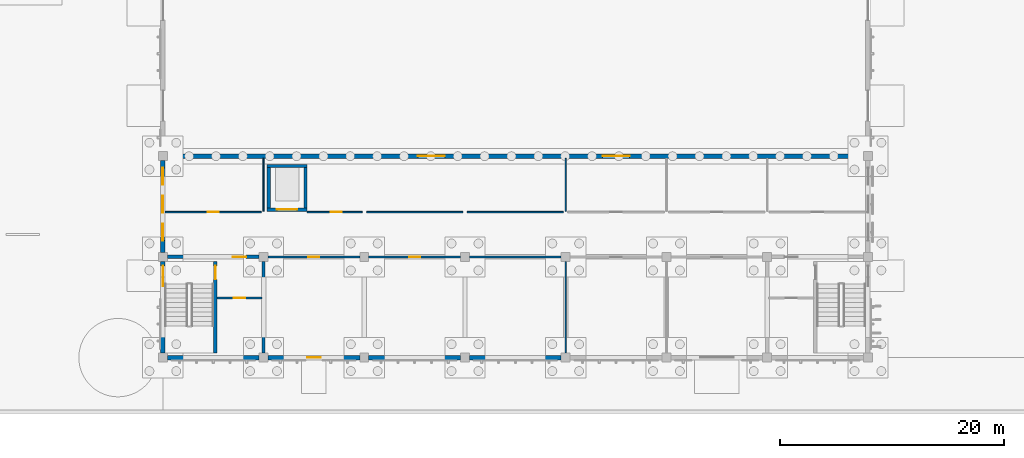
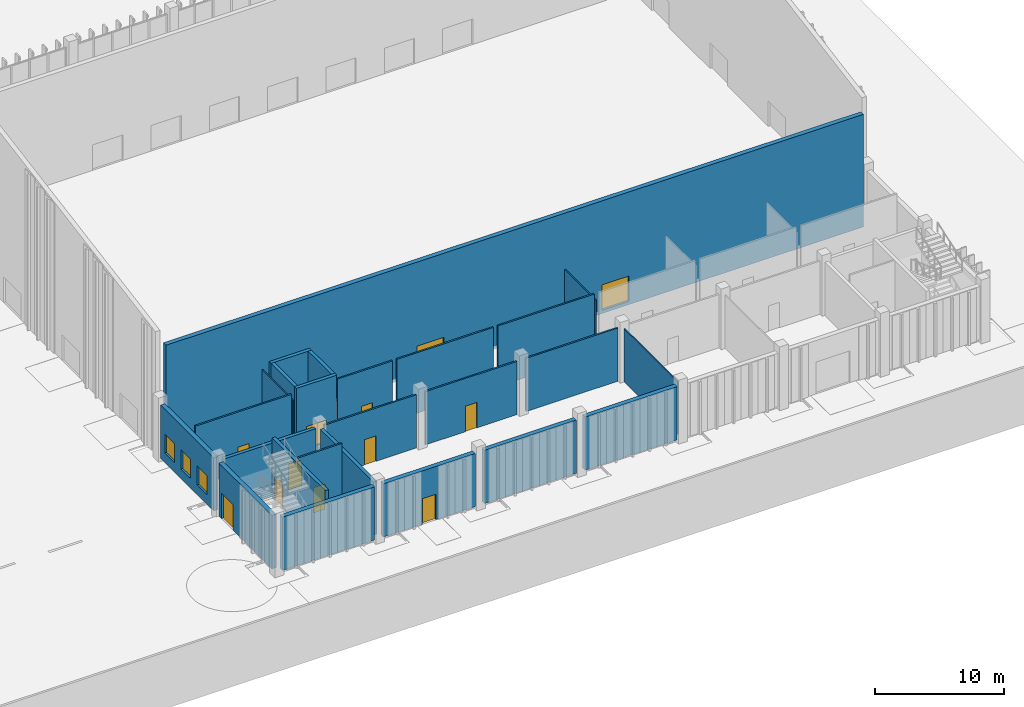
# One storey, part 98 of 198: 25 walls, 12 doors, 3 windows, 15 openings.
"""IFC4 building model written with IfcOpenShell, lengths in metres."""

from ifc_helpers import new_model, si_unit, direction, frame, frame_2d, origin, place, context, subcontext, project, spatial, rectangle, extrude, material, layer, layer_set, type_object, element, fill, save


model = new_model("IFC4")

# Units and contexts
model_context = context("Model", 3, precision=1e-05, world=origin(), true_north=direction((0.0, 1.0)))
body_context = subcontext(model_context, "Body", "Model", "MODEL_VIEW")
ifc_project = project(units=[si_unit("LENGTHUNIT", "METRE"), si_unit("AREAUNIT", "SQUARE_METRE"), si_unit("VOLUMEUNIT", "CUBIC_METRE"), si_unit("PLANEANGLEUNIT", "RADIAN"), si_unit("MASSUNIT", "GRAM", prefix="KILO")], contexts=[model_context])

# Site, building, storey
site_placement = place(None, origin())
site = spatial("IfcSite", under=ifc_project, at=site_placement, CompositionType="ELEMENT")
building_placement = place(site_placement, origin())
building = spatial("IfcBuilding", under=site, at=building_placement, Name="Opaline Strait Convention Centre", CompositionType="ELEMENT")
storey_placement = place(building_placement, origin())
storey = spatial("IfcBuildingStorey", under=building, at=storey_placement, Name="L00", CompositionType="ELEMENT", Elevation=0.0)

# Wall, opening, door
ifc_material_1 = material(Name="Concrete C40", Category="concrete")
ifc_layer_1 = layer(ifc_material_1, 0.300048828125)
ifc_layer_set_1 = layer_set([ifc_layer_1], Name="Concrete C40")
wall_type_1 = type_object("IfcWallType", Name="Core enclosure wall 300 C40", PredefinedType="STANDARD", material=ifc_layer_set_1)
wall_1_placement = place(storey_placement, frame((292.699951171875, 9.39990234375, 0.0), z_axis=(0.0, 0.0, 1.0), x_axis=(0.0, 1.0, 0.0)))
wall_1 = element("IfcWall", 1, at=wall_1_placement, inside=storey, type_object=wall_type_1, Name="Stair enclosure wall L00 SW", PredefinedType="STANDARD", context=body_context, shape_type="SweptSolid", body=[
    extrude(rectangle(XDim=8.2001953125, YDim=0.300048828125, at=frame_2d((4.10009765625, 0.0))), origin(), (0.0, 0.0, 1.0), 5.719970703125),
])
opening_1_placement = place(wall_1_placement, frame((6.60009765625, 0.0, 0.0)))
opening_1 = element("IfcOpeningElement", 2, at=opening_1_placement, cuts=wall_1, Name="Opening B0-015", PredefinedType="OPENING", context=body_context, shape_type="SweptSolid", body=[
    extrude(rectangle(XDim=1.199951171875, YDim=2.39990234375, at=frame_2d((0.60009765625, 1.199951171875))), frame((0.0, 0.159912109375, 0.0), z_axis=(0.0, -1.0, 0.0), x_axis=(1.0, 0.0, 0.0)), (0.0, 0.0, 1.0), 0.320068359375),
])
ifc_material_2 = material(Name="Steel Q235B", Category="steel")
door_type_1 = type_object("IfcDoorType", Name="Single fire door FD60 1200 x 2400", OperationType="SINGLE_SWING_LEFT", PredefinedType="DOOR", material=ifc_material_2)
door_1_placement = place(opening_1_placement, frame((1.199951171875, 0.0, 0.0), z_axis=(0.0, 0.0, 1.0), x_axis=(-1.0, 0.0, 0.0)))
door_1 = element("IfcDoor", 3, at=door_1_placement, inside=storey, type_object=door_type_1, Name="Stair door L00 SW", ObjectType="BD5", OperationType="SINGLE_SWING_RIGHT", OverallHeight=2.39990234375, OverallWidth=1.199951171875, PredefinedType="DOOR", context=body_context, shape_type="SweptSolid", body=[
    extrude(rectangle(XDim=1.199951171875, YDim=2.39990234375, at=frame_2d((0.60009765625, 1.199951171875))), frame((0.0, 0.02490234375, 0.0), z_axis=(0.0, -1.0, 0.0), x_axis=(1.0, 0.0, 0.0)), (0.0, 0.0, 1.0), 0.050048828125),
])
fill(opening_1, door_1)

# Wall
wall_2_placement = place(storey_placement, frame((297.0, 9.39990234375, 0.0), z_axis=(0.0, 0.0, 1.0), x_axis=(0.0, 1.0, 0.0)))
element("IfcWall", 4, at=wall_2_placement, inside=storey, type_object=wall_type_1, Name="Core wall L00 SW", PredefinedType="STANDARD", context=body_context, shape_type="SweptSolid", body=[
    extrude(rectangle(XDim=8.2001953125, YDim=0.300048828125, at=frame_2d((4.10009765625, 0.0))), origin(), (0.0, 0.0, 1.0), 5.02001953125),
])

# Wall, opening, door
wall_3_placement = place(storey_placement, frame((288.39990234375, 18.0, 0.0), z_axis=(0.0, 0.0, 1.0), x_axis=(1.0, 0.0, 0.0)))
wall_3 = element("IfcWall", 5, at=wall_3_placement, inside=storey, type_object=wall_type_1, Name="Core north wall L00 SW", PredefinedType="STANDARD", context=body_context, shape_type="SweptSolid", body=[
    extrude(rectangle(XDim=8.2001953125, YDim=0.300048828125, at=frame_2d((4.10009765625, 0.0))), origin(), (0.0, 0.0, 1.0), 5.02001953125),
])
opening_2_placement = place(wall_3_placement, frame((5.85009765625, 0.0, 0.0)))
opening_2 = element("IfcOpeningElement", 6, at=opening_2_placement, cuts=wall_3, Name="Opening B0-016", PredefinedType="OPENING", context=body_context, shape_type="SweptSolid", body=[
    extrude(rectangle(XDim=1.199951171875, YDim=2.39990234375, at=frame_2d((0.60009765625, 1.199951171875))), frame((0.0, 0.159912109375, 0.0), z_axis=(0.0, -1.0, 0.0), x_axis=(1.0, 0.0, 0.0)), (0.0, 0.0, 1.0), 0.320068359375),
])
door_2_placement = place(opening_2_placement, origin())
door_2 = element("IfcDoor", 7, at=door_2_placement, inside=storey, type_object=door_type_1, Name="Stair lobby door L00 SW", ObjectType="BD5", OperationType="SINGLE_SWING_LEFT", OverallHeight=2.39990234375, OverallWidth=1.199951171875, PredefinedType="DOOR", context=body_context, shape_type="SweptSolid", body=[
    extrude(rectangle(XDim=1.199951171875, YDim=2.39990234375, at=frame_2d((0.60009765625, 1.199951171875))), frame((0.0, 0.02490234375, 0.0), z_axis=(0.0, -1.0, 0.0), x_axis=(1.0, 0.0, 0.0)), (0.0, 0.0, 1.0), 0.050048828125),
])
fill(opening_2, door_2)

ifc_material_3 = material(Name="Gypsum board and steel stud partition", Category="steel")
ifc_layer_2 = layer(ifc_material_3, 0.14990234375)
ifc_layer_set_2 = layer_set([ifc_layer_2], Name="Gypsum board and steel stud partition")
wall_type_2 = type_object("IfcWallType", Name="Corridor partition 150 EI 60", PredefinedType="PARTITIONING", material=ifc_layer_set_2)
wall_4_placement = place(storey_placement, frame((292.85009765625, 14.324951171875, 0.0), z_axis=(0.0, 0.0, 1.0), x_axis=(1.0, 0.0, 0.0)))
wall_4 = element("IfcWall", 8, at=wall_4_placement, inside=storey, type_object=wall_type_2, Name="Lobby partition L00 SW", PredefinedType="PARTITIONING", context=body_context, shape_type="SweptSolid", body=[
    extrude(rectangle(XDim=4.0, YDim=0.14990234375, at=frame_2d((2.0, 0.0))), origin(), (0.0, 0.0, 1.0), 5.719970703125),
])
opening_3_placement = place(wall_4_placement, frame((1.5, 0.0, 0.0)))
opening_3 = element("IfcOpeningElement", 9, at=opening_3_placement, cuts=wall_4, Name="Opening B0-017", PredefinedType="OPENING", context=body_context, shape_type="SweptSolid", body=[
    extrude(rectangle(XDim=1.0, YDim=2.39990234375, at=frame_2d((0.5, 1.199951171875))), frame((0.0, 0.0849609375, 0.0), z_axis=(0.0, -1.0, 0.0), x_axis=(1.0, 0.0, 0.0)), (0.0, 0.0, 1.0), 0.169921875),
])
ifc_material_4 = material(Name="Solid timber door leaf", Category="wood")
door_type_2 = type_object("IfcDoorType", Name="Single room door 1000 x 2400", OperationType="SINGLE_SWING_LEFT", PredefinedType="DOOR", material=ifc_material_4)
door_3_placement = place(opening_3_placement, origin())
door_3 = element("IfcDoor", 10, at=door_3_placement, inside=storey, type_object=door_type_2, Name="Staff WC door L00", ObjectType="BD3", OperationType="SINGLE_SWING_RIGHT", OverallHeight=2.39990234375, OverallWidth=1.0, PredefinedType="DOOR", context=body_context, shape_type="SweptSolid", body=[
    extrude(rectangle(XDim=1.0, YDim=2.39990234375, at=frame_2d((0.5, 1.199951171875))), frame((0.0, 0.02490234375, 0.0), z_axis=(0.0, -1.0, 0.0), x_axis=(1.0, 0.0, 0.0)), (0.0, 0.0, 1.0), 0.050048828125),
])
fill(opening_3, door_3)

wall_5_placement = place(storey_placement, frame((297.39990234375, 18.0, 0.0), z_axis=(0.0, 0.0, 1.0), x_axis=(1.0, 0.0, 0.0)))
wall_5 = element("IfcWall", 11, at=wall_5_placement, inside=storey, type_object=wall_type_2, Name="Corridor wall L00 y18 bay 1", PredefinedType="PARTITIONING", context=body_context, shape_type="SweptSolid", body=[
    extrude(rectangle(XDim=8.2001953125, YDim=0.14990234375, at=frame_2d((4.10009765625, 0.0))), origin(), (0.0, 0.0, 1.0), 5.02001953125),
])
opening_4_placement = place(wall_5_placement, frame((3.60009765625, 0.0, 0.0)))
opening_4 = element("IfcOpeningElement", 12, at=opening_4_placement, cuts=wall_5, Name="Opening B0-027", PredefinedType="OPENING", context=body_context, shape_type="SweptSolid", body=[
    extrude(rectangle(XDim=1.0, YDim=2.39990234375, at=frame_2d((0.5, 1.199951171875))), frame((0.0, 0.0849609375, 0.0), z_axis=(0.0, -1.0, 0.0), x_axis=(1.0, 0.0, 0.0)), (0.0, 0.0, 1.0), 0.169921875),
])
door_type_3 = type_object("IfcDoorType", Name="Single fire door FD30 1000 x 2400", OperationType="SINGLE_SWING_LEFT", PredefinedType="DOOR", material=ifc_material_2)
door_4_placement = place(opening_4_placement, origin())
door_4 = element("IfcDoor", 13, at=door_4_placement, inside=storey, type_object=door_type_3, Name="Room door L00 y18 1", ObjectType="BD2", OperationType="SINGLE_SWING_LEFT", OverallHeight=2.39990234375, OverallWidth=1.0, PredefinedType="DOOR", context=body_context, shape_type="SweptSolid", body=[
    extrude(rectangle(XDim=1.0, YDim=2.39990234375, at=frame_2d((0.5, 1.199951171875))), frame((0.0, 0.02490234375, 0.0), z_axis=(0.0, -1.0, 0.0), x_axis=(1.0, 0.0, 0.0)), (0.0, 0.0, 1.0), 0.050048828125),
])
fill(opening_4, door_4)

wall_6_placement = place(storey_placement, frame((306.39990234375, 18.0, 0.0), z_axis=(0.0, 0.0, 1.0), x_axis=(1.0, 0.0, 0.0)))
wall_6 = element("IfcWall", 14, at=wall_6_placement, inside=storey, type_object=wall_type_2, Name="Corridor wall L00 y18 bay 2", PredefinedType="PARTITIONING", context=body_context, shape_type="SweptSolid", body=[
    extrude(rectangle(XDim=8.2001953125, YDim=0.14990234375, at=frame_2d((4.10009765625, 0.0))), origin(), (0.0, 0.0, 1.0), 5.02001953125),
])
opening_5_placement = place(wall_6_placement, frame((3.60009765625, 0.0, 0.0)))
opening_5 = element("IfcOpeningElement", 15, at=opening_5_placement, cuts=wall_6, Name="Opening B0-028", PredefinedType="OPENING", context=body_context, shape_type="SweptSolid", body=[
    extrude(rectangle(XDim=1.0, YDim=2.39990234375, at=frame_2d((0.5, 1.199951171875))), frame((0.0, 0.0849609375, 0.0), z_axis=(0.0, -1.0, 0.0), x_axis=(1.0, 0.0, 0.0)), (0.0, 0.0, 1.0), 0.169921875),
])
door_5_placement = place(opening_5_placement, origin())
door_5 = element("IfcDoor", 16, at=door_5_placement, inside=storey, type_object=door_type_3, Name="Room door L00 y18 2", ObjectType="BD2", OperationType="SINGLE_SWING_LEFT", OverallHeight=2.39990234375, OverallWidth=1.0, PredefinedType="DOOR", context=body_context, shape_type="SweptSolid", body=[
    extrude(rectangle(XDim=1.0, YDim=2.39990234375, at=frame_2d((0.5, 1.199951171875))), frame((0.0, 0.02490234375, 0.0), z_axis=(0.0, -1.0, 0.0), x_axis=(1.0, 0.0, 0.0)), (0.0, 0.0, 1.0), 0.050048828125),
])
fill(opening_5, door_5)

# Wall
wall_7_placement = place(storey_placement, frame((315.39990234375, 18.0, 0.0), z_axis=(0.0, 0.0, 1.0), x_axis=(1.0, 0.0, 0.0)))
element("IfcWall", 17, at=wall_7_placement, inside=storey, type_object=wall_type_2, Name="Corridor wall L00 y18 bay 3", PredefinedType="PARTITIONING", context=body_context, shape_type="SweptSolid", body=[
    extrude(rectangle(XDim=8.2001953125, YDim=0.14990234375, at=frame_2d((4.10009765625, 0.0))), origin(), (0.0, 0.0, 1.0), 5.02001953125),
])

# Wall, opening, door
wall_8_placement = place(storey_placement, frame((288.199951171875, 22.0, 0.0), z_axis=(0.0, 0.0, 1.0), x_axis=(1.0, 0.0, 0.0)))
wall_8 = element("IfcWall", 18, at=wall_8_placement, inside=storey, type_object=wall_type_2, Name="Corridor wall L00 y22 bay 0", PredefinedType="PARTITIONING", context=body_context, shape_type="SweptSolid", body=[
    extrude(rectangle(XDim=8.60009765625, YDim=0.14990234375, at=frame_2d((4.300048828125, 0.0))), origin(), (0.0, 0.0, 1.0), 5.719970703125),
])
opening_6_placement = place(wall_8_placement, frame((3.800048828125, 0.0, 0.0)))
opening_6 = element("IfcOpeningElement", 19, at=opening_6_placement, cuts=wall_8, Name="Opening B0-031", PredefinedType="OPENING", context=body_context, shape_type="SweptSolid", body=[
    extrude(rectangle(XDim=1.0, YDim=2.39990234375, at=frame_2d((0.5, 1.199951171875))), frame((0.0, 0.0849609375, 0.0), z_axis=(0.0, -1.0, 0.0), x_axis=(1.0, 0.0, 0.0)), (0.0, 0.0, 1.0), 0.169921875),
])
door_6_placement = place(opening_6_placement, frame((1.0, 0.0, 0.0), z_axis=(0.0, 0.0, 1.0), x_axis=(-1.0, 0.0, 0.0)))
door_6 = element("IfcDoor", 20, at=door_6_placement, inside=storey, type_object=door_type_3, Name="Room door L00 y22 0", ObjectType="BD2", OperationType="SINGLE_SWING_RIGHT", OverallHeight=2.39990234375, OverallWidth=1.0, PredefinedType="DOOR", context=body_context, shape_type="SweptSolid", body=[
    extrude(rectangle(XDim=1.0, YDim=2.39990234375, at=frame_2d((0.5, 1.199951171875))), frame((0.0, 0.02490234375, 0.0), z_axis=(0.0, -1.0, 0.0), x_axis=(1.0, 0.0, 0.0)), (0.0, 0.0, 1.0), 0.050048828125),
])
fill(opening_6, door_6)

wall_9_placement = place(storey_placement, frame((300.89990234375, 22.0, 0.0), z_axis=(0.0, 0.0, 1.0), x_axis=(1.0, 0.0, 0.0)))
wall_9 = element("IfcWall", 21, at=wall_9_placement, inside=storey, type_object=wall_type_2, Name="Corridor wall L00 y22 bay 1", PredefinedType="PARTITIONING", context=body_context, shape_type="SweptSolid", body=[
    extrude(rectangle(XDim=4.900146484375, YDim=0.14990234375, at=frame_2d((2.4501953125, 0.0))), origin(), (0.0, 0.0, 1.0), 5.719970703125),
])
opening_7_placement = place(wall_9_placement, frame((2.10009765625, 0.0, 0.0)))
opening_7 = element("IfcOpeningElement", 22, at=opening_7_placement, cuts=wall_9, Name="Opening B0-032", PredefinedType="OPENING", context=body_context, shape_type="SweptSolid", body=[
    extrude(rectangle(XDim=1.0, YDim=2.39990234375, at=frame_2d((0.5, 1.199951171875))), frame((0.0, 0.0849609375, 0.0), z_axis=(0.0, -1.0, 0.0), x_axis=(1.0, 0.0, 0.0)), (0.0, 0.0, 1.0), 0.169921875),
])
door_7_placement = place(opening_7_placement, frame((1.0, 0.0, 0.0), z_axis=(0.0, 0.0, 1.0), x_axis=(-1.0, 0.0, 0.0)))
door_7 = element("IfcDoor", 23, at=door_7_placement, inside=storey, type_object=door_type_3, Name="Room door L00 y22 1", ObjectType="BD2", OperationType="SINGLE_SWING_RIGHT", OverallHeight=2.39990234375, OverallWidth=1.0, PredefinedType="DOOR", context=body_context, shape_type="SweptSolid", body=[
    extrude(rectangle(XDim=1.0, YDim=2.39990234375, at=frame_2d((0.5, 1.199951171875))), frame((0.0, 0.02490234375, 0.0), z_axis=(0.0, -1.0, 0.0), x_axis=(1.0, 0.0, 0.0)), (0.0, 0.0, 1.0), 0.050048828125),
])
fill(opening_7, door_7)

# Walls
for number, where, z_axis, x_axis, name in (
    (24, (306.199951171875, 22.0, 0.0), (0.0, 0.0, 1.0), (1.0, 0.0, 0.0), "Corridor wall L00 y22 bay 2"),
    (25, (315.199951171875, 22.0, 0.0), (0.0, 0.0, 1.0), (1.0, 0.0, 0.0), "Corridor wall L00 y22 bay 3"),
):
    element("IfcWall", number, at=place(storey_placement, frame(where, z_axis=z_axis, x_axis=x_axis)), inside=storey, type_object=wall_type_2, Name=name, PredefinedType="PARTITIONING", context=body_context, shape_type="SweptSolid", body=[
        extrude(rectangle(XDim=8.60009765625, YDim=0.14990234375, at=frame_2d((4.300048828125, 0.0))), origin(), (0.0, 0.0, 1.0), 5.719970703125),
    ])

# Wall, openings, doors
ifc_layer_3 = layer(ifc_material_1, 0.39990234375)
ifc_layer_set_3 = layer_set([ifc_layer_3], Name="Concrete C40")
wall_type_3 = type_object("IfcWallType", Name="Hall bearing wall 400 C40", PredefinedType="SHEAR", material=ifc_layer_set_3)
wall_10_placement = place(storey_placement, frame((288.39990234375, 27.0, -0.300048828125), z_axis=(0.0, 0.0, 1.0), x_axis=(1.0, 0.0, 0.0)))
wall_10 = element("IfcWall", 26, at=wall_10_placement, inside=storey, type_object=wall_type_3, Name="BW1 hall south wall", PredefinedType="SHEAR", context=body_context, shape_type="SweptSolid", body=[
    extrude(rectangle(XDim=62.2001953125, YDim=0.39990234375, at=frame_2d((31.10009765625, 0.0))), origin(), (0.0, 0.0, 1.0), 10.625),
])
opening_8_placement = place(wall_10_placement, frame((22.39990234375, 0.0, 0.300048828125)))
opening_8 = element("IfcOpeningElement", 27, at=opening_8_placement, cuts=wall_10, Name="Opening B0-043", PredefinedType="OPENING", context=body_context, shape_type="SweptSolid", body=[
    extrude(rectangle(XDim=2.39990234375, YDim=2.39990234375, at=frame_2d((1.199951171875, 1.199951171875))), frame((0.0, 0.2099609375, 0.0), z_axis=(0.0, -1.0, 0.0), x_axis=(1.0, 0.0, 0.0)), (0.0, 0.0, 1.0), 0.419921875),
])
opening_9_placement = place(wall_10_placement, frame((38.89990234375, 0.0, 0.300048828125)))
opening_9 = element("IfcOpeningElement", 28, at=opening_9_placement, cuts=wall_10, Name="Opening B0-044", PredefinedType="OPENING", context=body_context, shape_type="SweptSolid", body=[
    extrude(rectangle(XDim=2.39990234375, YDim=2.39990234375, at=frame_2d((1.199951171875, 1.199951171875))), frame((0.0, 0.2099609375, 0.0), z_axis=(0.0, -1.0, 0.0), x_axis=(1.0, 0.0, 0.0)), (0.0, 0.0, 1.0), 0.419921875),
])
door_type_4 = type_object("IfcDoorType", Name="Hall service double door FD90 2400 x 2400", OperationType="DOUBLE_DOOR_SINGLE_SWING", PredefinedType="DOOR", material=ifc_material_2)
door_8_placement = place(opening_8_placement, origin())
door_8 = element("IfcDoor", 29, at=door_8_placement, inside=storey, type_object=door_type_4, Name="Ballroom service door 1", ObjectType="BD9", OperationType="DOUBLE_DOOR_SINGLE_SWING", OverallHeight=2.39990234375, OverallWidth=2.39990234375, PredefinedType="DOOR", context=body_context, shape_type="SweptSolid", body=[
    extrude(rectangle(XDim=2.39990234375, YDim=2.39990234375, at=frame_2d((1.199951171875, 1.199951171875))), frame((0.0, 0.02490234375, 0.0), z_axis=(0.0, -1.0, 0.0), x_axis=(1.0, 0.0, 0.0)), (0.0, 0.0, 1.0), 0.050048828125),
])
fill(opening_8, door_8)
door_9_placement = place(opening_9_placement, origin())
door_9 = element("IfcDoor", 30, at=door_9_placement, inside=storey, type_object=door_type_4, Name="Ballroom service door 2", ObjectType="BD9", OperationType="DOUBLE_DOOR_SINGLE_SWING", OverallHeight=2.39990234375, OverallWidth=2.39990234375, PredefinedType="DOOR", context=body_context, shape_type="SweptSolid", body=[
    extrude(rectangle(XDim=2.39990234375, YDim=2.39990234375, at=frame_2d((1.199951171875, 1.199951171875))), frame((0.0, 0.02490234375, 0.0), z_axis=(0.0, -1.0, 0.0), x_axis=(1.0, 0.0, 0.0)), (0.0, 0.0, 1.0), 0.050048828125),
])
fill(opening_9, door_9)

# Wall, opening, door
ifc_layer_4 = layer(ifc_material_1, 0.300048828125)
ifc_layer_set_4 = layer_set([ifc_layer_4], Name="Concrete C40")
wall_type_4 = type_object("IfcWallType", Name="Lift shaft wall 300 C40", PredefinedType="SHEAR", material=ifc_layer_set_4)
wall_11_placement = place(storey_placement, frame((297.300048828125, 22.22509765625, -1.5), z_axis=(0.0, 0.0, 1.0), x_axis=(1.0, 0.0, 0.0)))
wall_11 = element("IfcWall", 31, at=wall_11_placement, inside=storey, type_object=wall_type_4, Name="Goods Lift shaft wall L00 S", PredefinedType="SHEAR", context=body_context, shape_type="SweptSolid", body=[
    extrude(rectangle(XDim=3.599853515625, YDim=0.300048828125, at=frame_2d((1.7998046875, 0.0))), origin(), (0.0, 0.0, 1.0), 7.5),
])
opening_10_placement = place(wall_11_placement, frame((0.89990234375, 0.0, 1.5)))
opening_10 = element("IfcOpeningElement", 32, at=opening_10_placement, cuts=wall_11, Name="Opening B0-046", PredefinedType="OPENING", context=body_context, shape_type="SweptSolid", body=[
    extrude(rectangle(XDim=1.800048828125, YDim=2.10009765625, at=frame_2d((0.89990234375, 1.050048828125))), frame((0.0, 0.159912109375, 0.0), z_axis=(0.0, -1.0, 0.0), x_axis=(1.0, 0.0, 0.0)), (0.0, 0.0, 1.0), 0.320068359375),
])
ifc_material_5 = material(Name="Stainless steel 304", Category="steel")
door_type_5 = type_object("IfcDoorType", Name="Lift landing door goods 1800 x 2100", OperationType="SLIDING_TO_LEFT", PredefinedType="DOOR", material=ifc_material_5)
door_10_placement = place(opening_10_placement, origin())
door_10 = element("IfcDoor", 33, at=door_10_placement, inside=storey, type_object=door_type_5, Name="Goods Lift landing door L00", ObjectType="BLD1", OperationType="SLIDING_TO_RIGHT", OverallHeight=2.10009765625, OverallWidth=1.800048828125, PredefinedType="DOOR", context=body_context, shape_type="SweptSolid", body=[
    extrude(rectangle(XDim=1.800048828125, YDim=2.10009765625, at=frame_2d((0.89990234375, 1.050048828125))), frame((0.0, 0.02490234375, 0.0), z_axis=(0.0, -1.0, 0.0), x_axis=(1.0, 0.0, 0.0)), (0.0, 0.0, 1.0), 0.050048828125),
])
fill(opening_10, door_10)

# Walls
wall_12_placement = place(storey_placement, frame((297.300048828125, 26.125, -1.5), z_axis=(0.0, 0.0, 1.0), x_axis=(1.0, 0.0, 0.0)))
element("IfcWall", 34, at=wall_12_placement, inside=storey, type_object=wall_type_4, Name="Goods Lift shaft wall L00 N", PredefinedType="SHEAR", context=body_context, shape_type="SweptSolid", body=[
    extrude(rectangle(XDim=3.599853515625, YDim=0.300048828125, at=frame_2d((1.7998046875, 0.0))), origin(), (0.0, 0.0, 1.0), 7.5),
])
for number, where, z_axis, x_axis, name in (
    (35, (297.449951171875, 22.375, -1.5), (0.0, 0.0, 1.0), (0.0, 1.0, 0.0), "Goods Lift shaft wall L00 W"),
    (36, (300.75, 22.375, -1.5), (0.0, 0.0, 1.0), (0.0, 1.0, 0.0), "Goods Lift shaft wall L00 E"),
):
    element("IfcWall", number, at=place(storey_placement, frame(where, z_axis=z_axis, x_axis=x_axis)), inside=storey, type_object=wall_type_4, Name=name, PredefinedType="SHEAR", context=body_context, shape_type="SweptSolid", body=[
        extrude(rectangle(XDim=3.60009765625, YDim=0.300048828125, at=frame_2d((1.800048828125, 0.0))), origin(), (0.0, 0.0, 1.0), 7.5),
    ])

# Wall, opening, door
ifc_material_6 = material(Name="Concrete C40 precast", Category="concrete")
ifc_layer_5 = layer(ifc_material_6, 0.080078125)
ifc_material_7 = material(Name="Ventilated air cavity")
ifc_layer_6 = layer(ifc_material_7, 0.030029296875)
ifc_material_8 = material(Name="Mineral wool insulation")
ifc_layer_7 = layer(ifc_material_8, 0.139892578125)
ifc_material_9 = material(Name="Concrete C30", Category="concrete")
ifc_layer_8 = layer(ifc_material_9, 0.14990234375)
ifc_layer_set_5 = layer_set([ifc_layer_5, ifc_layer_6, ifc_layer_7, ifc_layer_8], Name="Concrete C40 precast, Ventilated air cavity, Mineral wool insulation, Concrete C30")
wall_type_5 = type_object("IfcWallType", Name="Precast insulated wall 400", PredefinedType="STANDARD", material=ifc_layer_set_5)
wall_13_placement = place(storey_placement, frame((288.0, 9.39990234375, 0.0), z_axis=(0.0, 0.0, 1.0), x_axis=(0.0, 1.0, 0.0)))
wall_13 = element("IfcWall", 37, at=wall_13_placement, inside=storey, type_object=wall_type_5, Name="Ballroom west wall L00 W9", PredefinedType="STANDARD", context=body_context, shape_type="SweptSolid", body=[
    extrude(rectangle(XDim=8.2001953125, YDim=0.39990234375, at=frame_2d((4.10009765625, 0.0))), origin(), (0.0, 0.0, 1.0), 5.02001953125),
])
opening_11_placement = place(wall_13_placement, frame((6.0, 0.0, 0.0)))
opening_11 = element("IfcOpeningElement", 38, at=opening_11_placement, cuts=wall_13, Name="Opening B0-009", PredefinedType="OPENING", context=body_context, shape_type="SweptSolid", body=[
    extrude(rectangle(XDim=1.800048828125, YDim=2.39990234375, at=frame_2d((0.89990234375, 1.199951171875))), frame((0.0, 0.2099609375, 0.0), z_axis=(0.0, -1.0, 0.0), x_axis=(1.0, 0.0, 0.0)), (0.0, 0.0, 1.0), 0.419921875),
])
door_type_6 = type_object("IfcDoorType", Name="Exit double door 1800 x 2400", OperationType="DOUBLE_DOOR_SINGLE_SWING", PredefinedType="DOOR", material=ifc_material_2)
door_11_placement = place(opening_11_placement, origin())
door_11 = element("IfcDoor", 39, at=door_11_placement, inside=storey, type_object=door_type_6, Name="Stair exit door SW", ObjectType="PD3", OperationType="DOUBLE_DOOR_SINGLE_SWING", OverallHeight=2.39990234375, OverallWidth=1.800048828125, PredefinedType="DOOR", context=body_context, shape_type="SweptSolid", body=[
    extrude(rectangle(XDim=1.800048828125, YDim=2.39990234375, at=frame_2d((0.89990234375, 1.199951171875))), frame((0.0, 0.02490234375, 0.0), z_axis=(0.0, -1.0, 0.0), x_axis=(1.0, 0.0, 0.0)), (0.0, 0.0, 1.0), 0.050048828125),
])
fill(opening_11, door_11)

# Wall, openings, windows
wall_14_placement = place(storey_placement, frame((288.0, 18.39990234375, 0.0), z_axis=(0.0, 0.0, 1.0), x_axis=(0.0, 1.0, 0.0)))
wall_14 = element("IfcWall", 40, at=wall_14_placement, inside=storey, type_object=wall_type_5, Name="Ballroom west wall L00 W18", PredefinedType="STANDARD", context=body_context, shape_type="SweptSolid", body=[
    extrude(rectangle(XDim=8.2001953125, YDim=0.39990234375, at=frame_2d((4.10009765625, 0.0))), origin(), (0.0, 0.0, 1.0), 5.02001953125),
])
opening_12_placement = place(wall_14_placement, frame((1.050048828125, 0.0, 0.89990234375)))
opening_12 = element("IfcOpeningElement", 41, at=opening_12_placement, cuts=wall_14, Name="Opening BV2", PredefinedType="OPENING", context=body_context, shape_type="SweptSolid", body=[
    extrude(rectangle(XDim=1.5, YDim=1.800048828125, at=frame_2d((0.75, 0.89990234375))), frame((0.0, 0.2099609375, 0.0), z_axis=(0.0, -1.0, 0.0), x_axis=(1.0, 0.0, 0.0)), (0.0, 0.0, 1.0), 0.419921875),
])
opening_13_placement = place(wall_14_placement, frame((3.550048828125, 0.0, 0.89990234375)))
opening_13 = element("IfcOpeningElement", 42, at=opening_13_placement, cuts=wall_14, Name="Opening BV2", PredefinedType="OPENING", context=body_context, shape_type="SweptSolid", body=[
    extrude(rectangle(XDim=1.5, YDim=1.800048828125, at=frame_2d((0.75, 0.89990234375))), frame((0.0, 0.2099609375, 0.0), z_axis=(0.0, -1.0, 0.0), x_axis=(1.0, 0.0, 0.0)), (0.0, 0.0, 1.0), 0.419921875),
])
opening_14_placement = place(wall_14_placement, frame((6.050048828125, 0.0, 0.89990234375)))
opening_14 = element("IfcOpeningElement", 43, at=opening_14_placement, cuts=wall_14, Name="Opening BV2", PredefinedType="OPENING", context=body_context, shape_type="SweptSolid", body=[
    extrude(rectangle(XDim=1.5, YDim=1.800048828125, at=frame_2d((0.75, 0.89990234375))), frame((0.0, 0.2099609375, 0.0), z_axis=(0.0, -1.0, 0.0), x_axis=(1.0, 0.0, 0.0)), (0.0, 0.0, 1.0), 0.419921875),
])
ifc_material_10 = material(Name="Aluminium framed double glazing", Category="aluminium")
window_type = type_object("IfcWindowType", Name="Room window 1500 x 1800", PartitioningType="SINGLE_PANEL", PredefinedType="WINDOW", material=ifc_material_10)
window_1_placement = place(opening_12_placement, origin())
window_1 = element("IfcWindow", 44, at=window_1_placement, inside=storey, type_object=window_type, Name="Window L00 W 1", OverallHeight=1.800048828125, OverallWidth=1.5, PartitioningType="SINGLE_PANEL", PredefinedType="WINDOW", context=body_context, shape_type="SweptSolid", body=[
    extrude(rectangle(XDim=1.5, YDim=1.800048828125, at=frame_2d((0.75, 0.89990234375))), frame((0.0, 0.030029296875, 0.0), z_axis=(0.0, -1.0, 0.0), x_axis=(1.0, 0.0, 0.0)), (0.0, 0.0, 1.0), 0.06005859375),
])
fill(opening_12, window_1)
window_2_placement = place(opening_13_placement, origin())
window_2 = element("IfcWindow", 45, at=window_2_placement, inside=storey, type_object=window_type, Name="Window L00 W 2", OverallHeight=1.800048828125, OverallWidth=1.5, PartitioningType="SINGLE_PANEL", PredefinedType="WINDOW", context=body_context, shape_type="SweptSolid", body=[
    extrude(rectangle(XDim=1.5, YDim=1.800048828125, at=frame_2d((0.75, 0.89990234375))), frame((0.0, 0.030029296875, 0.0), z_axis=(0.0, -1.0, 0.0), x_axis=(1.0, 0.0, 0.0)), (0.0, 0.0, 1.0), 0.06005859375),
])
fill(opening_13, window_2)
window_3_placement = place(opening_14_placement, origin())
window_3 = element("IfcWindow", 46, at=window_3_placement, inside=storey, type_object=window_type, Name="Window L00 W 3", OverallHeight=1.800048828125, OverallWidth=1.5, PartitioningType="SINGLE_PANEL", PredefinedType="WINDOW", context=body_context, shape_type="SweptSolid", body=[
    extrude(rectangle(XDim=1.5, YDim=1.800048828125, at=frame_2d((0.75, 0.89990234375))), frame((0.0, 0.030029296875, 0.0), z_axis=(0.0, -1.0, 0.0), x_axis=(1.0, 0.0, 0.0)), (0.0, 0.0, 1.0), 0.06005859375),
])
fill(opening_14, window_3)

# Wall
wall_15_placement = place(storey_placement, frame((288.39990234375, 9.0, 0.0), z_axis=(0.0, 0.0, 1.0), x_axis=(1.0, 0.0, 0.0)))
element("IfcWall", 47, at=wall_15_placement, inside=storey, type_object=wall_type_5, Name="Ballroom south wall L00 bay 1", PredefinedType="STANDARD", context=body_context, shape_type="SweptSolid", body=[
    extrude(rectangle(XDim=8.2001953125, YDim=0.39990234375, at=frame_2d((4.10009765625, 0.0))), origin(), (0.0, 0.0, 1.0), 5.02001953125),
])

# Wall, opening, door
wall_16_placement = place(storey_placement, frame((297.39990234375, 9.0, 0.0), z_axis=(0.0, 0.0, 1.0), x_axis=(1.0, 0.0, 0.0)))
wall_16 = element("IfcWall", 48, at=wall_16_placement, inside=storey, type_object=wall_type_5, Name="Ballroom south wall L00 bay 2", PredefinedType="STANDARD", context=body_context, shape_type="SweptSolid", body=[
    extrude(rectangle(XDim=8.2001953125, YDim=0.39990234375, at=frame_2d((4.10009765625, 0.0))), origin(), (0.0, 0.0, 1.0), 5.02001953125),
])
opening_15_placement = place(wall_16_placement, frame((3.5, 0.0, 0.0)))
opening_15 = element("IfcOpeningElement", 49, at=opening_15_placement, cuts=wall_16, Name="Opening B0-013", PredefinedType="OPENING", context=body_context, shape_type="SweptSolid", body=[
    extrude(rectangle(XDim=1.199951171875, YDim=2.39990234375, at=frame_2d((0.60009765625, 1.199951171875))), frame((0.0, 0.2099609375, 0.0), z_axis=(0.0, -1.0, 0.0), x_axis=(1.0, 0.0, 0.0)), (0.0, 0.0, 1.0), 0.419921875),
])
door_type_7 = type_object("IfcDoorType", Name="Service door 1200 x 2400", OperationType="SINGLE_SWING_LEFT", PredefinedType="DOOR", material=ifc_material_2)
door_12_placement = place(opening_15_placement, frame((1.199951171875, 0.0, 0.0), z_axis=(0.0, 0.0, 1.0), x_axis=(-1.0, 0.0, 0.0)))
door_12 = element("IfcDoor", 50, at=door_12_placement, inside=storey, type_object=door_type_7, Name="Kitchen service door", ObjectType="BD10", OperationType="SINGLE_SWING_LEFT", OverallHeight=2.39990234375, OverallWidth=1.199951171875, PredefinedType="DOOR", context=body_context, shape_type="SweptSolid", body=[
    extrude(rectangle(XDim=1.199951171875, YDim=2.39990234375, at=frame_2d((0.60009765625, 1.199951171875))), frame((0.0, 0.02490234375, 0.0), z_axis=(0.0, -1.0, 0.0), x_axis=(1.0, 0.0, 0.0)), (0.0, 0.0, 1.0), 0.050048828125),
])
fill(opening_15, door_12)

# Walls
for number, where, z_axis, x_axis, name in (
    (51, (306.39990234375, 9.0, 0.0), (0.0, 0.0, 1.0), (1.0, 0.0, 0.0), "Ballroom south wall L00 bay 3"),
    (52, (315.39990234375, 9.0, 0.0), (0.0, 0.0, 1.0), (1.0, 0.0, 0.0), "Ballroom south wall L00 bay 4"),
):
    element("IfcWall", number, at=place(storey_placement, frame(where, z_axis=z_axis, x_axis=x_axis)), inside=storey, type_object=wall_type_5, Name=name, PredefinedType="STANDARD", context=body_context, shape_type="SweptSolid", body=[
        extrude(rectangle(XDim=8.2001953125, YDim=0.39990234375, at=frame_2d((4.10009765625, 0.0))), origin(), (0.0, 0.0, 1.0), 5.02001953125),
    ])
ifc_layer_9 = layer(ifc_material_3, 0.10009765625)
ifc_layer_set_6 = layer_set([ifc_layer_9], Name="Gypsum board and steel stud partition")
wall_type_6 = type_object("IfcWallType", Name="Room partition 100 EI 45", PredefinedType="PARTITIONING", material=ifc_layer_set_6)
for number, where, z_axis, x_axis, name in (
    (53, (297.0, 22.074951171875, 0.0), (0.0, 0.0, 1.0), (0.0, 1.0, 0.0), "Room partition L00 x297 north"),
    (54, (324.0, 22.074951171875, 0.0), (0.0, 0.0, 1.0), (0.0, 1.0, 0.0), "Room partition L00 x324 north"),
):
    element("IfcWall", number, at=place(storey_placement, frame(where, z_axis=z_axis, x_axis=x_axis)), inside=storey, type_object=wall_type_6, Name=name, PredefinedType="PARTITIONING", context=body_context, shape_type="SweptSolid", body=[
        extrude(rectangle(XDim=4.72509765625, YDim=0.10009765625, at=frame_2d((2.362548828125, 0.0))), origin(), (0.0, 0.0, 1.0), 5.02001953125),
    ])
wall_17_placement = place(storey_placement, frame((324.0, 9.39990234375, 0.0), z_axis=(0.0, 0.0, 1.0), x_axis=(0.0, 1.0, 0.0)))
element("IfcWall", 55, at=wall_17_placement, inside=storey, type_object=wall_type_6, Name="Room partition L00 x324 south", PredefinedType="PARTITIONING", context=body_context, shape_type="SweptSolid", body=[
    extrude(rectangle(XDim=8.2001953125, YDim=0.10009765625, at=frame_2d((4.10009765625, 0.0))), origin(), (0.0, 0.0, 1.0), 5.02001953125),
])

save(model, "model.ifc")
